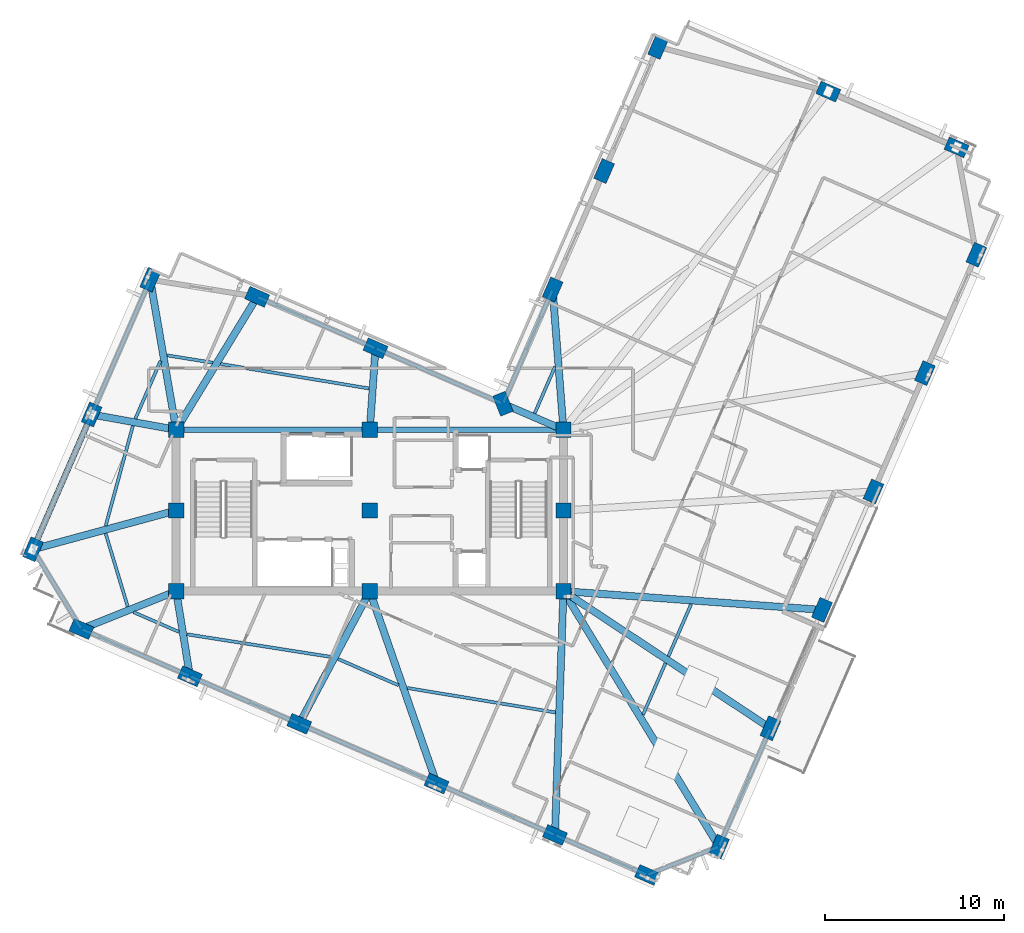
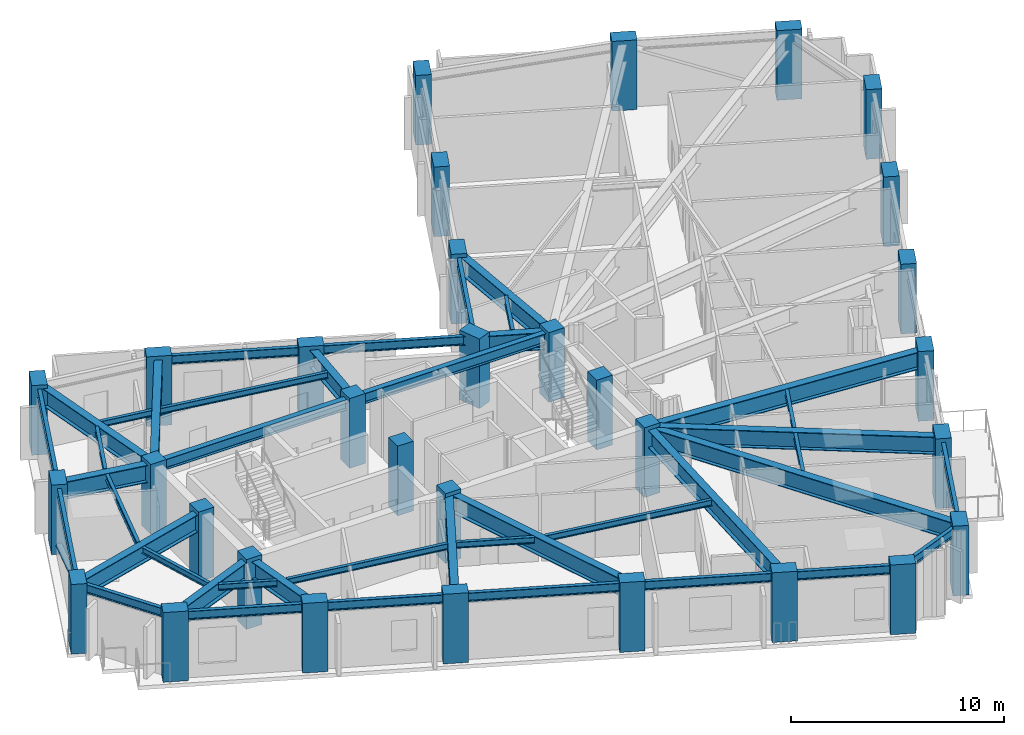
# One storey, part 1 of 12: 42 beams, 32 columns, 1 member.
"""IFC4 building model written with IfcOpenShell, lengths in metres."""

from ifc_helpers import new_model, si_unit, direction, frame, origin, origin_2d, place, context, subcontext, project, spatial, rectangle, hollow_circle, i_section, extrude, material, material_profile, profile_set, type_object, element, save


model = new_model("IFC4")

# Units and contexts
model_context = context("Model", 3, precision=1e-05, world=origin(), true_north=direction((0.0, 1.0)))
body_context = subcontext(model_context, "Body", "Model", "MODEL_VIEW")
ifc_project = project(units=[si_unit("LENGTHUNIT", "METRE"), si_unit("AREAUNIT", "SQUARE_METRE"), si_unit("VOLUMEUNIT", "CUBIC_METRE"), si_unit("PLANEANGLEUNIT", "RADIAN"), si_unit("MASSUNIT", "GRAM", prefix="KILO")], contexts=[model_context])

# Site, building, storey
site_placement = place(None, origin())
site = spatial("IfcSite", under=ifc_project, at=site_placement, CompositionType="ELEMENT")
building_placement = place(site_placement, origin())
building = spatial("IfcBuilding", under=site, at=building_placement, Name="Gaonmaruhae Medical Tower", CompositionType="ELEMENT")
storey_placement = place(building_placement, frame((0.0, 0.0, 320.60009765625)))
storey = spatial("IfcBuildingStorey", under=building, at=storey_placement, Name="L77", CompositionType="ELEMENT", Elevation=320.60009765625)

# Columns
ifc_material_1 = material(Name="Concrete C50/60", Category="concrete")
ifc_material_profile_1 = material_profile(ifc_material_1, rectangle(XDim=0.85009765625, YDim=0.85009765625, at=origin_2d()), Name="RC-850x850")
ifc_profile_set_1 = profile_set([ifc_material_profile_1], Name="Concrete C50/60")
column_type_1 = type_object("IfcColumnType", Name="CC-06 Upper Core Column (RC-850x850)", PredefinedType="COLUMN", material=ifc_profile_set_1)
for number, where, z_axis, x_axis, name in (
    (1, (14.0, 7.800048828125, 0.0), (0.0, 0.0, 1.0), (1.0, 0.0, 0.0), "L77 Plumb Core Column CC11"),
    (2, (14.0, 12.300048828125, 0.0), (0.0, 0.0, 1.0), (1.0, 0.0, 0.0), "L77 Plumb Core Column CC12"),
    (3, (14.0, 16.800048828125, 0.0), (0.0, 0.0, 1.0), (1.0, 0.0, 0.0), "L77 Plumb Core Column CC13"),
    (4, (24.800048828125, 7.800048828125, 0.0), (0.0, 0.0, 1.0), (1.0, 0.0, 0.0), "L77 Plumb Core Column CC21"),
    (5, (24.800048828125, 12.300048828125, 0.0), (0.0, 0.0, 1.0), (1.0, 0.0, 0.0), "L77 Plumb Core Column CC22"),
    (6, (24.800048828125, 16.800048828125, 0.0), (0.0, 0.0, 1.0), (1.0, 0.0, 0.0), "L77 Plumb Core Column CC23"),
    (7, (35.60009765625, 7.800048828125, 0.0), (0.0, 0.0, 1.0), (1.0, 0.0, 0.0), "L77 Plumb Core Column CC31"),
    (8, (35.60009765625, 12.300048828125, 0.0), (0.0, 0.0, 1.0), (1.0, 0.0, 0.0), "L77 Plumb Core Column CC32"),
    (9, (35.60009765625, 16.800048828125, 0.0), (0.0, 0.0, 1.0), (1.0, 0.0, 0.0), "L77 Plumb Core Column CC33"),
):
    element("IfcColumn", number, at=place(storey_placement, frame(where, z_axis=z_axis, x_axis=x_axis)), inside=storey, type_object=column_type_1, Name=name, PredefinedType="COLUMN", context=body_context, shape_type="SweptSolid", body=[
        extrude(rectangle(XDim=0.85009765625, YDim=0.85009765625, at=origin_2d()), origin(), (0.0, 0.0, 1.0), 4.0),
    ])
ifc_material_profile_2 = material_profile(ifc_material_1, rectangle(XDim=1.199951171875, YDim=0.75, at=origin_2d()), Name="RC-1200x750")
ifc_profile_set_2 = profile_set([ifc_material_profile_2], Name="Concrete C50/60")
column_type_2 = type_object("IfcColumnType", Name="TC-03 Upper Raking Tube Pier Column (RC-1200x750)", PredefinedType="COLUMN", material=ifc_profile_set_2)
for number, where, z_axis, x_axis, name in (
    (10, (44.275146484375, -6.448486328125, 0.001708984375), (0.0, 0.0, 1.0), (0.398749068925, 0.917060074385, 0.0), "L77 Perimeter Tube Column S01"),
    (11, (47.14599609375, 0.154296875, 0.001708984375), (0.0, 0.0, 1.0), (0.398749068925, 0.917060074385, 0.0), "L77 Perimeter Tube Column S02"),
    (12, (50.01708984375, 6.75732421875, 0.001708984375), (0.0, 0.0, 1.0), (0.398749068925, 0.917060074385, 0.0), "L77 Perimeter Tube Column S03"),
    (13, (52.88818359375, 13.360107421875, 0.001708984375), (0.0, 0.0, 1.0), (0.398749068925, 0.917060074385, 0.0), "L77 Perimeter Tube Column S04"),
    (14, (55.759033203125, 19.962890625, 0.001708984375), (0.0, 0.0, 1.0), (0.398749068925, 0.917060074385, 0.0), "L77 Perimeter Tube Column S05"),
    (15, (58.630126953125, 26.565673828125, 0.001708984375), (0.0, 0.0, 1.0), (0.398749068925, 0.917060074385, 0.0), "L77 Perimeter Tube Column S06"),
    (16, (57.525634765625, 32.552734375, 0.001708984375), (0.0, 0.0, 1.0), (-0.917060074385, 0.398749068925, 0.0), "L77 Perimeter Tube Column E01"),
    (17, (50.372802734375, 35.662841796875, 0.001708984375), (0.0, 0.0, 1.0), (-0.917060074385, 0.398749068925, 0.0), "L77 Perimeter Tube Column E02"),
    (18, (40.879150390625, 38.155029296875, 0.001708984375), (0.0, 0.0, 1.0), (0.398749068925, 0.917060074385, 0.0), "L77 Perimeter Tube Column E03"),
    (19, (37.868408203125, 31.2314453125, 0.001708984375), (0.0, 0.0, 1.0), (0.398749068925, 0.917060074385, 0.0), "L77 Perimeter Tube Column EN01"),
    (20, (34.99755859375, 24.62841796875, 0.001708984375), (0.0, 0.0, 1.0), (0.398749068925, 0.917060074385, 0.0), "L77 Perimeter Tube Column EN02"),
    (21, (32.226318359375, 18.2548828125, 0.001708984375), (0.0, 0.0, 1.0), (-0.366501226724, 0.930417567982, 0.0), "L77 Perimeter Tube Column KN01"),
    (22, (25.118896484375, 21.34521484375, 0.001708984375), (0.0, 0.0, 1.0), (-0.917060074385, 0.398749068925, 0.0), "L77 Perimeter Tube Column NE01"),
    (23, (18.51611328125, 24.21630859375, 0.001708984375), (0.0, 0.0, 1.0), (-0.917060074385, 0.398749068925, 0.0), "L77 Perimeter Tube Column NE02"),
    (24, (12.55322265625, 25.17333984375, 0.001708984375), (0.0, 0.0, 1.0), (0.398749068925, 0.917060074385, 0.0), "L77 Perimeter Tube Column N01"),
    (25, (9.283447265625, 17.653564453125, 0.001708984375), (0.0, 0.0, 1.0), (0.398749068925, 0.917060074385, 0.0), "L77 Perimeter Tube Column N02"),
    (26, (6.013671875, 10.133544921875, 0.001708984375), (0.0, 0.0, 1.0), (0.398749068925, 0.917060074385, 0.0), "L77 Perimeter Tube Column N03"),
    (27, (8.715087890625, 5.687744140625, 0.001708984375), (0.0, 0.0, 1.0), (-0.917060074385, 0.398749068925, 0.0), "L77 Perimeter Tube Column W01"),
    (28, (14.767578125, 3.055908203125, 0.001708984375), (0.0, 0.0, 1.0), (-0.917060074385, 0.398749068925, 0.0), "L77 Perimeter Tube Column W02"),
    (29, (20.865966796875, 0.404296875, 0.001708984375), (0.0, 0.0, 1.0), (-0.917060074385, 0.398749068925, 0.0), "L77 Perimeter Tube Column W03"),
    (30, (28.5234375, -2.92529296875, 0.001708984375), (0.0, 0.0, 1.0), (-0.917060074385, 0.398749068925, 0.0), "L77 Perimeter Tube Column W04"),
    (31, (35.12646484375, -5.79638671875, 0.001708984375), (0.0, 0.0, 1.0), (-0.917060074385, 0.398749068925, 0.0), "L77 Perimeter Tube Column W05"),
    (32, (40.261962890625, -8.029296875, 0.001708984375), (0.0, 0.0, 1.0), (-0.917060074385, 0.398749068925, 0.0), "L77 Perimeter Tube Column W06"),
):
    element("IfcColumn", number, at=place(storey_placement, frame(where, z_axis=z_axis, x_axis=x_axis)), inside=storey, type_object=column_type_2, Name=name, PredefinedType="COLUMN", context=body_context, shape_type="SweptSolid", body=[
        extrude(rectangle(XDim=1.199951171875, YDim=0.75, at=origin_2d()), origin(), (0.0, 0.0, 1.0), 3.996337890625),
    ])

# Beams
ifc_material_2 = material(Name="Steel SM420", Category="steel")
ifc_material_profile_3 = material_profile(ifc_material_2, i_section(OverallWidth=0.39990234375, OverallDepth=1.0, WebThickness=0.02197265625, FlangeThickness=0.035888671875, at=origin_2d()), Name="BH-1000x400x22x36")
ifc_profile_set_3 = profile_set([ifc_material_profile_3], Name="Steel SM420")
beam_type_1 = type_object("IfcBeamType", Name="BG-02 Refuge Floor Primary Girder (BH-1000x400x22x36)", PredefinedType="BEAM", material=ifc_profile_set_3)
beam_1_placement = place(storey_placement, frame((35.6259765625, 7.75732421875, 3.27978515625), z_axis=(0.520036625826, -0.854143961988, 0.0), x_axis=(0.854143961988, 0.520036625826, 0.0)))
element("IfcBeam", 33, at=beam_1_placement, inside=storey, type_object=beam_type_1, Name="L77 Radial Primary Girder S01", PredefinedType="BEAM", context=body_context, shape_type="SweptSolid", body=[
    extrude(i_section(OverallWidth=0.39990234375, OverallDepth=1.0, WebThickness=0.02197265625, FlangeThickness=0.035888671875, at=origin_2d()), origin(), (0.0, 0.0, 1.0), 16.58154296875),
])
beam_2_placement = place(storey_placement, frame((35.6416015625, 7.7724609375, 3.27978515625), z_axis=(0.833770161097, -0.552111690208, 0.0), x_axis=(0.552111690208, 0.833770161097, 0.0)))
element("IfcBeam", 34, at=beam_2_placement, inside=storey, type_object=beam_type_1, Name="L77 Radial Primary Girder S02", PredefinedType="BEAM", context=body_context, shape_type="SweptSolid", body=[
    extrude(i_section(OverallWidth=0.39990234375, OverallDepth=1.0, WebThickness=0.02197265625, FlangeThickness=0.035888671875, at=origin_2d()), origin(), (0.0, 0.0, 1.0), 13.748291015625),
])
beam_3_placement = place(storey_placement, frame((35.64990234375, 7.79638671875, 3.27978515625), z_axis=(0.997394062708, -0.072146265841, 0.0), x_axis=(0.072146265841, 0.997394062708, 0.0)))
element("IfcBeam", 35, at=beam_3_placement, inside=storey, type_object=beam_type_1, Name="L77 Radial Primary Girder S03", PredefinedType="BEAM", context=body_context, shape_type="SweptSolid", body=[
    extrude(i_section(OverallWidth=0.39990234375, OverallDepth=1.0, WebThickness=0.02197265625, FlangeThickness=0.035888671875, at=origin_2d()), origin(), (0.0, 0.0, 1.0), 14.354736328125),
])
beam_4_placement = place(storey_placement, frame((35.59619140625, 16.849853515625, 3.27978515625), z_axis=(-0.076722992115, 0.997052447207, 0.0), x_axis=(-0.997052447207, -0.076722992115, 0.0)))
element("IfcBeam", 36, at=beam_4_placement, inside=storey, type_object=beam_type_1, Name="L77 Radial Primary Girder EN02", PredefinedType="BEAM", context=body_context, shape_type="SweptSolid", body=[
    extrude(i_section(OverallWidth=0.39990234375, OverallDepth=1.0, WebThickness=0.02197265625, FlangeThickness=0.035888671875, at=origin_2d()), origin(), (0.0, 0.0, 1.0), 7.751708984375),
])
beam_5_placement = place(storey_placement, frame((35.55419921875, 16.81982421875, 3.27978515625), z_axis=(-0.918259431029, 0.395979314266, 0.0), x_axis=(-0.395979314266, -0.918259431029, 0.0)))
element("IfcBeam", 37, at=beam_5_placement, inside=storey, type_object=beam_type_1, Name="L77 Radial Primary Girder KN01", PredefinedType="BEAM", context=body_context, shape_type="SweptSolid", body=[
    extrude(i_section(OverallWidth=0.39990234375, OverallDepth=1.0, WebThickness=0.02197265625, FlangeThickness=0.035888671875, at=origin_2d()), origin(), (0.0, 0.0, 1.0), 3.57421875),
])
beam_6_placement = place(storey_placement, frame((24.803466796875, 16.849853515625, 3.27978515625), z_axis=(0.070012845455, 0.997546089898, 0.0), x_axis=(-0.997546089898, 0.070012845455, 0.0)))
element("IfcBeam", 38, at=beam_6_placement, inside=storey, type_object=beam_type_1, Name="L77 Radial Primary Girder NE01", PredefinedType="BEAM", context=body_context, shape_type="SweptSolid", body=[
    extrude(i_section(OverallWidth=0.39990234375, OverallDepth=1.0, WebThickness=0.02197265625, FlangeThickness=0.035888671875, at=origin_2d()), origin(), (0.0, 0.0, 1.0), 4.45654296875),
])
beam_7_placement = place(storey_placement, frame((14.026123046875, 16.8427734375, 3.27978515625), z_axis=(0.520106658264, 0.854101319534, 0.0), x_axis=(-0.854101319534, 0.520106658264, 0.0)))
element("IfcBeam", 39, at=beam_7_placement, inside=storey, type_object=beam_type_1, Name="L77 Radial Primary Girder NE02", PredefinedType="BEAM", context=body_context, shape_type="SweptSolid", body=[
    extrude(i_section(OverallWidth=0.39990234375, OverallDepth=1.0, WebThickness=0.02197265625, FlangeThickness=0.035888671875, at=origin_2d()), origin(), (0.0, 0.0, 1.0), 8.5830078125),
])
beam_8_placement = place(storey_placement, frame((13.991455078125, 16.849365234375, 3.27978515625), z_axis=(-0.170256429826, 0.985399791, 0.0), x_axis=(-0.985399791, -0.170256429826, 0.0)))
element("IfcBeam", 40, at=beam_8_placement, inside=storey, type_object=beam_type_1, Name="L77 Radial Primary Girder N01", PredefinedType="BEAM", context=body_context, shape_type="SweptSolid", body=[
    extrude(i_section(OverallWidth=0.39990234375, OverallDepth=1.0, WebThickness=0.02197265625, FlangeThickness=0.035888671875, at=origin_2d()), origin(), (0.0, 0.0, 1.0), 8.397216796875),
])
beam_9_placement = place(storey_placement, frame((13.95068359375, 16.808837890625, 3.27978515625), z_axis=(-0.984016905829, 0.17807506575, 0.0), x_axis=(-0.17807506575, -0.984016905829, 0.0)))
element("IfcBeam", 41, at=beam_9_placement, inside=storey, type_object=beam_type_1, Name="L77 Radial Primary Girder N02", PredefinedType="BEAM", context=body_context, shape_type="SweptSolid", body=[
    extrude(i_section(OverallWidth=0.39990234375, OverallDepth=1.0, WebThickness=0.02197265625, FlangeThickness=0.035888671875, at=origin_2d()), origin(), (0.0, 0.0, 1.0), 4.69287109375),
])
beam_10_placement = place(storey_placement, frame((13.95166015625, 12.286865234375, 3.27978515625), z_axis=(-0.965122679795, -0.261798038467, 0.0), x_axis=(0.261798038467, -0.965122679795, 0.0)))
element("IfcBeam", 42, at=beam_10_placement, inside=storey, type_object=beam_type_1, Name="L77 Radial Primary Girder N03", PredefinedType="BEAM", context=body_context, shape_type="SweptSolid", body=[
    extrude(i_section(OverallWidth=0.39990234375, OverallDepth=1.0, WebThickness=0.02197265625, FlangeThickness=0.035888671875, at=origin_2d()), origin(), (0.0, 0.0, 1.0), 8.1748046875),
])
beam_11_placement = place(storey_placement, frame((13.95361328125, 7.781494140625, 3.27978515625), z_axis=(-0.928579037594, -0.371134707272, 0.0), x_axis=(0.371134707272, -0.928579037594, 0.0)))
element("IfcBeam", 43, at=beam_11_placement, inside=storey, type_object=beam_type_1, Name="L77 Radial Primary Girder W01", PredefinedType="BEAM", context=body_context, shape_type="SweptSolid", body=[
    extrude(i_section(OverallWidth=0.39990234375, OverallDepth=1.0, WebThickness=0.02197265625, FlangeThickness=0.035888671875, at=origin_2d()), origin(), (0.0, 0.0, 1.0), 5.591552734375),
])
beam_12_placement = place(storey_placement, frame((14.008056640625, 7.750732421875, 3.27978515625), z_axis=(0.159685869984, -0.987167879809, 0.0), x_axis=(0.987167879809, 0.159685869984, 0.0)))
element("IfcBeam", 44, at=beam_12_placement, inside=storey, type_object=beam_type_1, Name="L77 Radial Primary Girder W02", PredefinedType="BEAM", context=body_context, shape_type="SweptSolid", body=[
    extrude(i_section(OverallWidth=0.39990234375, OverallDepth=1.0, WebThickness=0.02197265625, FlangeThickness=0.035888671875, at=origin_2d()), origin(), (0.0, 0.0, 1.0), 4.705810546875),
])
beam_13_placement = place(storey_placement, frame((24.776611328125, 7.755859375, 3.27978515625), z_axis=(-0.469618843189, -0.882869266722, 0.0), x_axis=(0.882869266722, -0.469618843189, 0.0)))
element("IfcBeam", 45, at=beam_13_placement, inside=storey, type_object=beam_type_1, Name="L77 Radial Primary Girder W03", PredefinedType="BEAM", context=body_context, shape_type="SweptSolid", body=[
    extrude(i_section(OverallWidth=0.39990234375, OverallDepth=1.0, WebThickness=0.02197265625, FlangeThickness=0.035888671875, at=origin_2d()), origin(), (0.0, 0.0, 1.0), 8.27685546875),
])
beam_14_placement = place(storey_placement, frame((24.81640625, 7.752685546875, 3.27978515625), z_axis=(0.327964362011, -0.944690095878, 0.0), x_axis=(0.944690095878, 0.327964362011, 0.0)))
element("IfcBeam", 46, at=beam_14_placement, inside=storey, type_object=beam_type_1, Name="L77 Radial Primary Girder W04", PredefinedType="BEAM", context=body_context, shape_type="SweptSolid", body=[
    extrude(i_section(OverallWidth=0.39990234375, OverallDepth=1.0, WebThickness=0.02197265625, FlangeThickness=0.035888671875, at=origin_2d()), origin(), (0.0, 0.0, 1.0), 11.253173828125),
])
beam_15_placement = place(storey_placement, frame((35.59814453125, 7.75, 3.27978515625), z_axis=(-0.034800997703, -0.99939426182, 0.0), x_axis=(0.99939426182, -0.034800997703, 0.0)))
element("IfcBeam", 47, at=beam_15_placement, inside=storey, type_object=beam_type_1, Name="L77 Radial Primary Girder W05", PredefinedType="BEAM", context=body_context, shape_type="SweptSolid", body=[
    extrude(i_section(OverallWidth=0.39990234375, OverallDepth=1.0, WebThickness=0.02197265625, FlangeThickness=0.035888671875, at=origin_2d()), origin(), (0.0, 0.0, 1.0), 13.504638671875),
])
ifc_material_3 = material(Name="Steel SM355", Category="steel")
ifc_material_profile_4 = material_profile(ifc_material_3, i_section(OverallWidth=0.175048828125, OverallDepth=0.35009765625, WebThickness=0.007080078125, FlangeThickness=0.010986328125, FilletRadius=0.012939453125, at=origin_2d()), Name="H-350x175x7x11")
ifc_profile_set_4 = profile_set([ifc_material_profile_4], Name="Steel SM355")
beam_type_2 = type_object("IfcBeamType", Name="FJ-02 Upper Zone Ward Floor Joist (H-350x175x7x11)", PredefinedType="JOIST", material=ifc_profile_set_4)
beam_16_placement = place(storey_placement, frame((40.03759765625, 0.905517578125, 3.60498046875), z_axis=(0.39874601067, 0.917061404146, 0.0), x_axis=(-0.917061404146, 0.39874601067, 0.0)))
element("IfcBeam", 48, at=beam_16_placement, inside=storey, type_object=beam_type_2, Name="L77 Secondary Floor Joist FJ01", PredefinedType="JOIST", context=body_context, shape_type="SweptSolid", body=[
    extrude(i_section(OverallWidth=0.175048828125, OverallDepth=0.35009765625, WebThickness=0.007080078125, FlangeThickness=0.010986328125, FilletRadius=0.012939453125, at=origin_2d()), origin(), (0.0, 0.0, 1.0), 3.140380859375),
])
beam_17_placement = place(storey_placement, frame((41.45654296875, 4.1689453125, 3.60498046875), z_axis=(0.398742993355, 0.917062716094, 0.0), x_axis=(-0.917062716094, 0.398742993355, 0.0)))
element("IfcBeam", 49, at=beam_17_placement, inside=storey, type_object=beam_type_2, Name="L77 Secondary Floor Joist FJ02", PredefinedType="JOIST", context=body_context, shape_type="SweptSolid", body=[
    extrude(i_section(OverallWidth=0.175048828125, OverallDepth=0.35009765625, WebThickness=0.007080078125, FlangeThickness=0.010986328125, FilletRadius=0.012939453125, at=origin_2d()), origin(), (0.0, 0.0, 1.0), 3.1728515625),
])
beam_18_placement = place(storey_placement, frame((35.1259765625, 20.31689453125, 3.60498046875), z_axis=(-0.398704074368, -0.917079637263, 0.0), x_axis=(0.917079637263, -0.398704074368, 0.0)))
element("IfcBeam", 50, at=beam_18_placement, inside=storey, type_object=beam_type_2, Name="L77 Secondary Floor Joist FJ08", PredefinedType="JOIST", context=body_context, shape_type="SweptSolid", body=[
    extrude(i_section(OverallWidth=0.175048828125, OverallDepth=0.35009765625, WebThickness=0.007080078125, FlangeThickness=0.010986328125, FilletRadius=0.012939453125, at=origin_2d()), origin(), (0.0, 0.0, 1.0), 2.835693359375),
])
beam_19_placement = place(storey_placement, frame((24.75537109375, 19.106201171875, 3.60498046875), z_axis=(-0.986663894193, 0.162770881598, 0.0), x_axis=(-0.162770881598, -0.986663894193, 0.0)))
element("IfcBeam", 51, at=beam_19_placement, inside=storey, type_object=beam_type_2, Name="L77 Secondary Floor Joist FJ10", PredefinedType="JOIST", context=body_context, shape_type="SweptSolid", body=[
    extrude(i_section(OverallWidth=0.175048828125, OverallDepth=0.35009765625, WebThickness=0.007080078125, FlangeThickness=0.010986328125, FilletRadius=0.012939453125, at=origin_2d()), origin(), (0.0, 0.0, 1.0), 8.390380859375),
])
beam_20_placement = place(storey_placement, frame((16.038818359375, 20.543212890625, 3.60498046875), z_axis=(-0.987360795074, 0.158488675779, 0.0), x_axis=(-0.158488675779, -0.987360795074, 0.0)))
element("IfcBeam", 52, at=beam_20_placement, inside=storey, type_object=beam_type_2, Name="L77 Secondary Floor Joist FJ11", PredefinedType="JOIST", context=body_context, shape_type="SweptSolid", body=[
    extrude(i_section(OverallWidth=0.175048828125, OverallDepth=0.35009765625, WebThickness=0.007080078125, FlangeThickness=0.010986328125, FilletRadius=0.012939453125, at=origin_2d()), origin(), (0.0, 0.0, 1.0), 2.580322265625),
])
beam_21_placement = place(storey_placement, frame((13.12890625, 20.64697265625, 3.60498046875), z_axis=(-0.398746411425, -0.917061229895, 0.0), x_axis=(0.917061229895, -0.398746411425, 0.0)))
element("IfcBeam", 53, at=beam_21_placement, inside=storey, type_object=beam_type_2, Name="L77 Secondary Floor Joist FJ12", PredefinedType="JOIST", context=body_context, shape_type="SweptSolid", body=[
    extrude(i_section(OverallWidth=0.175048828125, OverallDepth=0.35009765625, WebThickness=0.007080078125, FlangeThickness=0.010986328125, FilletRadius=0.012939453125, at=origin_2d()), origin(), (0.0, 0.0, 1.0), 3.51806640625),
])
beam_22_placement = place(storey_placement, frame((11.58740234375, 17.027099609375, 3.60498046875), z_axis=(-0.262477989376, -0.964937979921, 0.0), x_axis=(0.964937979921, -0.262477989376, 0.0)))
element("IfcBeam", 54, at=beam_22_placement, inside=storey, type_object=beam_type_2, Name="L77 Secondary Floor Joist FJ13", PredefinedType="JOIST", context=body_context, shape_type="SweptSolid", body=[
    extrude(i_section(OverallWidth=0.175048828125, OverallDepth=0.35009765625, WebThickness=0.007080078125, FlangeThickness=0.010986328125, FilletRadius=0.012939453125, at=origin_2d()), origin(), (0.0, 0.0, 1.0), 5.78369140625),
])
beam_23_placement = place(storey_placement, frame((10.06640625, 11.01953125, 3.60498046875), z_axis=(0.289103701868, -0.957297785209, 0.0), x_axis=(0.957297785209, 0.289103701868, 0.0)))
element("IfcBeam", 55, at=beam_23_placement, inside=storey, type_object=beam_type_2, Name="L77 Secondary Floor Joist FJ14", PredefinedType="JOIST", context=body_context, shape_type="SweptSolid", body=[
    extrude(i_section(OverallWidth=0.175048828125, OverallDepth=0.35009765625, WebThickness=0.007080078125, FlangeThickness=0.010986328125, FilletRadius=0.012939453125, at=origin_2d()), origin(), (0.0, 0.0, 1.0), 4.259521484375),
])
beam_24_placement = place(storey_placement, frame((11.62109375, 6.629150390625, 3.60498046875), z_axis=(0.917075663277, -0.398713215012, 0.0), x_axis=(0.398713215012, 0.917075663277, 0.0)))
element("IfcBeam", 56, at=beam_24_placement, inside=storey, type_object=beam_type_2, Name="L77 Secondary Floor Joist FJ15", PredefinedType="JOIST", context=body_context, shape_type="SweptSolid", body=[
    extrude(i_section(OverallWidth=0.175048828125, OverallDepth=0.35009765625, WebThickness=0.007080078125, FlangeThickness=0.010986328125, FilletRadius=0.012939453125, at=origin_2d()), origin(), (0.0, 0.0, 1.0), 2.768798828125),
])
beam_25_placement = place(storey_placement, frame((14.59765625, 5.39453125, 3.60498046875), z_axis=(0.9879068852, -0.15504833496, 0.0), x_axis=(0.15504833496, 0.9879068852, 0.0)))
element("IfcBeam", 57, at=beam_25_placement, inside=storey, type_object=beam_type_2, Name="L77 Secondary Floor Joist FJ16", PredefinedType="JOIST", context=body_context, shape_type="SweptSolid", body=[
    extrude(i_section(OverallWidth=0.175048828125, OverallDepth=0.35009765625, WebThickness=0.007080078125, FlangeThickness=0.010986328125, FilletRadius=0.012939453125, at=origin_2d()), origin(), (0.0, 0.0, 1.0), 8.11865234375),
])
beam_26_placement = place(storey_placement, frame((23.0224609375, 4.019775390625, 3.60498046875), z_axis=(0.91705533197, -0.398759975555, 0.0), x_axis=(0.398759975555, 0.91705533197, 0.0)))
element("IfcBeam", 58, at=beam_26_placement, inside=storey, type_object=beam_type_2, Name="L77 Secondary Floor Joist FJ17", PredefinedType="JOIST", context=body_context, shape_type="SweptSolid", body=[
    extrude(i_section(OverallWidth=0.175048828125, OverallDepth=0.35009765625, WebThickness=0.007080078125, FlangeThickness=0.010986328125, FilletRadius=0.012939453125, at=origin_2d()), origin(), (0.0, 0.0, 1.0), 3.690673828125),
])
beam_27_placement = place(storey_placement, frame((26.892333984375, 2.3994140625, 3.60498046875), z_axis=(0.986661186603, -0.162787293274, 0.0), x_axis=(0.162787293274, 0.986661186603, 0.0)))
element("IfcBeam", 59, at=beam_27_placement, inside=storey, type_object=beam_type_2, Name="L77 Secondary Floor Joist FJ18", PredefinedType="JOIST", context=body_context, shape_type="SweptSolid", body=[
    extrude(i_section(OverallWidth=0.175048828125, OverallDepth=0.35009765625, WebThickness=0.007080078125, FlangeThickness=0.010986328125, FilletRadius=0.012939453125, at=origin_2d()), origin(), (0.0, 0.0, 1.0), 8.377685546875),
])

# Member
ifc_material_profile_5 = material_profile(ifc_material_3, hollow_circle(Radius=0.1591796875, WallThickness=0.01025390625, at=origin_2d()), Name="CHS-318.5x10.3")
ifc_profile_set_5 = profile_set([ifc_material_profile_5], Name="Steel SM355")
member_type = type_object("IfcMemberType", Name="PB-03 Perimeter Solid-Bay Tube Brace Upper (CHS-318.5x10.3)", PredefinedType="BRACE", material=ifc_profile_set_5)
member_placement = place(storey_placement, frame((9.283447265625, 17.653564453125, 0.25), z_axis=(-0.370231257268, -0.851479368802, 0.371364646467), x_axis=(0.917061062653, -0.398746796056, 0.0)))
element("IfcMember", 60, at=member_placement, inside=storey, type_object=member_type, Name="L77 Perimeter Tube Solid-Bay Brace N02-N03", PredefinedType="BRACE", context=body_context, shape_type="SweptSolid", body=[
    extrude(hollow_circle(Radius=0.1591796875, WallThickness=0.01025390625, at=origin_2d()), origin(), (0.0, 0.0, 1.0), 8.831787109375),
])

# Beams
ifc_material_profile_6 = material_profile(ifc_material_2, i_section(OverallWidth=0.300048828125, OverallDepth=0.60009765625, WebThickness=0.011962890625, FlangeThickness=0.02001953125, FilletRadius=0.012939453125, at=origin_2d()), Name="H-600x300x12x20")
ifc_profile_set_6 = profile_set([ifc_material_profile_6], Name="Steel SM420")
beam_type_3 = type_object("IfcBeamType", Name="PG-04 Zone 4 Radial Floor Girder (H-600x300x12x20)", PredefinedType="BEAM", material=ifc_profile_set_6)
for number, where, z_axis, x_axis, name in (
    (61, (14.050048828125, 16.800048828125, 3.47998046875), (1.0, 0.0, 0.0), (0.0, 1.0, 0.0), "L77 Beam BM-L77-CG-N1"),
    (62, (24.85009765625, 16.800048828125, 3.47998046875), (1.0, 0.0, 0.0), (0.0, 1.0, 0.0), "L77 Beam BM-L77-CG-N2"),
):
    element("IfcBeam", number, at=place(storey_placement, frame(where, z_axis=z_axis, x_axis=x_axis)), inside=storey, type_object=beam_type_3, Name=name, PredefinedType="BEAM", context=body_context, shape_type="SweptSolid", body=[
        extrude(i_section(OverallWidth=0.300048828125, OverallDepth=0.60009765625, WebThickness=0.011962890625, FlangeThickness=0.02001953125, FilletRadius=0.012939453125, at=origin_2d()), origin(), (0.0, 0.0, 1.0), 10.699951171875),
    ])
ifc_material_profile_7 = material_profile(ifc_material_3, i_section(OverallWidth=0.199951171875, OverallDepth=0.5, WebThickness=0.010009765625, FlangeThickness=0.01611328125, FilletRadius=0.012939453125, at=origin_2d()), Name="H-500x200x10x16")
ifc_profile_set_7 = profile_set([ifc_material_profile_7], Name="Steel SM355")
beam_type_4 = type_object("IfcBeamType", Name="SP-02 Upper Perimeter Spandrel Beam (H-500x200x10x16)", PredefinedType="SPANDREL", material=ifc_profile_set_7)
beam_28_placement = place(storey_placement, frame((44.291015625, -6.411865234375, 3.52978515625), z_axis=(0.398747426125, 0.917060788693, 0.0), x_axis=(-0.917060788693, 0.398747426125, 0.0)))
element("IfcBeam", 63, at=beam_28_placement, inside=storey, type_object=beam_type_4, Name="L77 Perimeter Spandrel Beam S01-S02", PredefinedType="SPANDREL", context=body_context, shape_type="SweptSolid", body=[
    extrude(i_section(OverallWidth=0.199951171875, OverallDepth=0.5, WebThickness=0.010009765625, FlangeThickness=0.01611328125, FilletRadius=0.012939453125, at=origin_2d()), origin(), (0.0, 0.0, 1.0), 7.1201171875),
])
beam_29_placement = place(storey_placement, frame((34.981689453125, 24.591796875, 3.52978515625), z_axis=(-0.398768993563, -0.917051410649, 0.0), x_axis=(0.917051410649, -0.398768993563, 0.0)))
element("IfcBeam", 64, at=beam_29_placement, inside=storey, type_object=beam_type_4, Name="L77 Perimeter Spandrel Beam EN02-KN01", PredefinedType="SPANDREL", context=body_context, shape_type="SweptSolid", body=[
    extrude(i_section(OverallWidth=0.199951171875, OverallDepth=0.5, WebThickness=0.010009765625, FlangeThickness=0.01611328125, FilletRadius=0.012939453125, at=origin_2d()), origin(), (0.0, 0.0, 1.0), 6.869873046875),
])
beam_30_placement = place(storey_placement, frame((32.189453125, 18.27099609375, 3.52978515625), z_axis=(-0.917059428629, 0.398750554059, 0.0), x_axis=(-0.398750554059, -0.917059428629, 0.0)))
element("IfcBeam", 65, at=beam_30_placement, inside=storey, type_object=beam_type_4, Name="L77 Perimeter Spandrel Beam KN01-NE01", PredefinedType="SPANDREL", context=body_context, shape_type="SweptSolid", body=[
    extrude(i_section(OverallWidth=0.199951171875, OverallDepth=0.5, WebThickness=0.010009765625, FlangeThickness=0.01611328125, FilletRadius=0.012939453125, at=origin_2d()), origin(), (0.0, 0.0, 1.0), 7.669921875),
])
beam_31_placement = place(storey_placement, frame((25.082275390625, 21.361083984375, 3.52978515625), z_axis=(-0.917055336493, 0.398759965154, 0.0), x_axis=(-0.398759965154, -0.917055336493, 0.0)))
element("IfcBeam", 66, at=beam_31_placement, inside=storey, type_object=beam_type_4, Name="L77 Perimeter Spandrel Beam NE01-NE02", PredefinedType="SPANDREL", context=body_context, shape_type="SweptSolid", body=[
    extrude(i_section(OverallWidth=0.199951171875, OverallDepth=0.5, WebThickness=0.010009765625, FlangeThickness=0.01611328125, FilletRadius=0.012939453125, at=origin_2d()), origin(), (0.0, 0.0, 1.0), 7.119873046875),
])
for number, where, z_axis, x_axis, name in (
    (67, (12.537353515625, 25.13671875, 3.52978515625), (-0.398743701995, -0.917062407974, 0.0), (0.917062407974, -0.398743701995, 0.0), "L77 Perimeter Spandrel Beam N01-N02"),
    (68, (9.267578125, 17.61669921875, 3.52978515625), (-0.398743701995, -0.917062407974, 0.0), (0.917062407974, -0.398743701995, 0.0), "L77 Perimeter Spandrel Beam N02-N03"),
):
    element("IfcBeam", number, at=place(storey_placement, frame(where, z_axis=z_axis, x_axis=x_axis)), inside=storey, type_object=beam_type_4, Name=name, PredefinedType="SPANDREL", context=body_context, shape_type="SweptSolid", body=[
        extrude(i_section(OverallWidth=0.199951171875, OverallDepth=0.5, WebThickness=0.010009765625, FlangeThickness=0.01611328125, FilletRadius=0.012939453125, at=origin_2d()), origin(), (0.0, 0.0, 1.0), 8.119873046875),
    ])
beam_32_placement = place(storey_placement, frame((6.034423828125, 10.099365234375, 3.52978515625), z_axis=(0.519289042516, -0.854598672081, 0.0), x_axis=(0.854598672081, 0.519289042516, 0.0)))
element("IfcBeam", 69, at=beam_32_placement, inside=storey, type_object=beam_type_4, Name="L77 Perimeter Spandrel Beam N03-W01", PredefinedType="SPANDREL", context=body_context, shape_type="SweptSolid", body=[
    extrude(i_section(OverallWidth=0.199951171875, OverallDepth=0.5, WebThickness=0.010009765625, FlangeThickness=0.01611328125, FilletRadius=0.012939453125, at=origin_2d()), origin(), (0.0, 0.0, 1.0), 5.122314453125),
])
beam_33_placement = place(storey_placement, frame((8.751708984375, 5.671630859375, 3.52978515625), z_axis=(0.917059935749, -0.398749387767, 0.0), x_axis=(0.398749387767, 0.917059935749, 0.0)))
element("IfcBeam", 70, at=beam_33_placement, inside=storey, type_object=beam_type_4, Name="L77 Perimeter Spandrel Beam W01-W02", PredefinedType="SPANDREL", context=body_context, shape_type="SweptSolid", body=[
    extrude(i_section(OverallWidth=0.199951171875, OverallDepth=0.5, WebThickness=0.010009765625, FlangeThickness=0.01611328125, FilletRadius=0.012939453125, at=origin_2d()), origin(), (0.0, 0.0, 1.0), 6.52001953125),
])
beam_34_placement = place(storey_placement, frame((14.80419921875, 3.0400390625, 3.52978515625), z_axis=(0.917056468028, -0.398757362876, 0.0), x_axis=(0.398757362876, 0.917056468028, 0.0)))
element("IfcBeam", 71, at=beam_34_placement, inside=storey, type_object=beam_type_4, Name="L77 Perimeter Spandrel Beam W02-W03", PredefinedType="SPANDREL", context=body_context, shape_type="SweptSolid", body=[
    extrude(i_section(OverallWidth=0.199951171875, OverallDepth=0.5, WebThickness=0.010009765625, FlangeThickness=0.01611328125, FilletRadius=0.012939453125, at=origin_2d()), origin(), (0.0, 0.0, 1.0), 6.570068359375),
])
beam_35_placement = place(storey_placement, frame((20.90283203125, 0.388427734375, 3.52978515625), z_axis=(0.917049404199, -0.398773607775, 0.0), x_axis=(0.398773607775, 0.917049404199, 0.0)))
element("IfcBeam", 72, at=beam_35_placement, inside=storey, type_object=beam_type_4, Name="L77 Perimeter Spandrel Beam W03-W04", PredefinedType="SPANDREL", context=body_context, shape_type="SweptSolid", body=[
    extrude(i_section(OverallWidth=0.199951171875, OverallDepth=0.5, WebThickness=0.010009765625, FlangeThickness=0.01611328125, FilletRadius=0.012939453125, at=origin_2d()), origin(), (0.0, 0.0, 1.0), 8.27001953125),
])
beam_36_placement = place(storey_placement, frame((28.560302734375, -2.941162109375, 3.52978515625), z_axis=(0.917055336493, -0.398759965154, 0.0), x_axis=(0.398759965154, 0.917055336493, 0.0)))
element("IfcBeam", 73, at=beam_36_placement, inside=storey, type_object=beam_type_4, Name="L77 Perimeter Spandrel Beam W04-W05", PredefinedType="SPANDREL", context=body_context, shape_type="SweptSolid", body=[
    extrude(i_section(OverallWidth=0.199951171875, OverallDepth=0.5, WebThickness=0.010009765625, FlangeThickness=0.01611328125, FilletRadius=0.012939453125, at=origin_2d()), origin(), (0.0, 0.0, 1.0), 7.119873046875),
])
beam_37_placement = place(storey_placement, frame((35.1630859375, -5.812255859375, 3.52978515625), z_axis=(0.917050366415, -0.398771394984, 0.0), x_axis=(0.398771394984, 0.917050366415, 0.0)))
element("IfcBeam", 74, at=beam_37_placement, inside=storey, type_object=beam_type_4, Name="L77 Perimeter Spandrel Beam W05-W06", PredefinedType="SPANDREL", context=body_context, shape_type="SweptSolid", body=[
    extrude(i_section(OverallWidth=0.199951171875, OverallDepth=0.5, WebThickness=0.010009765625, FlangeThickness=0.01611328125, FilletRadius=0.012939453125, at=origin_2d()), origin(), (0.0, 0.0, 1.0), 5.519775390625),
])
beam_38_placement = place(storey_placement, frame((40.299072265625, -8.0146484375, 3.52978515625), z_axis=(0.930416736169, 0.366503338397, 0.0), x_axis=(-0.366503338397, 0.930416736169, 0.0)))
element("IfcBeam", 75, at=beam_38_placement, inside=storey, type_object=beam_type_4, Name="L77 Perimeter Spandrel Beam W06-S01", PredefinedType="SPANDREL", context=body_context, shape_type="SweptSolid", body=[
    extrude(i_section(OverallWidth=0.199951171875, OverallDepth=0.5, WebThickness=0.010009765625, FlangeThickness=0.01611328125, FilletRadius=0.012939453125, at=origin_2d()), origin(), (0.0, 0.0, 1.0), 4.2333984375),
])

save(model, "model.ifc")
